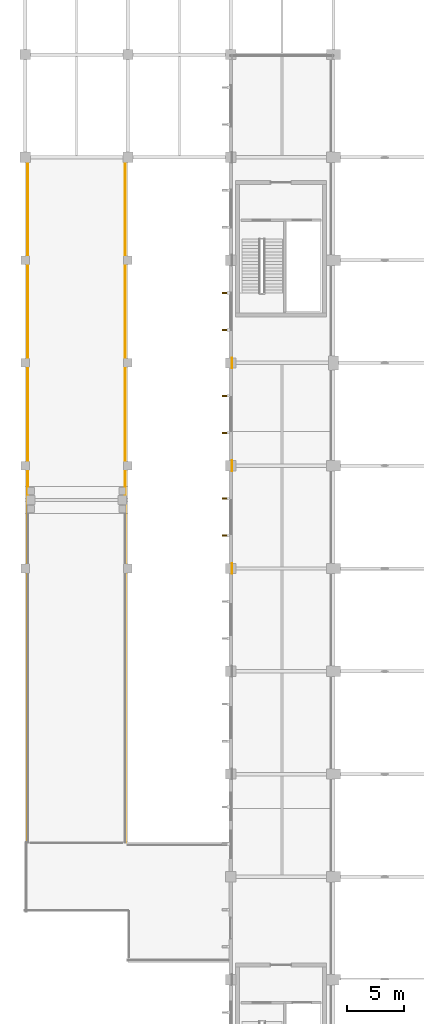
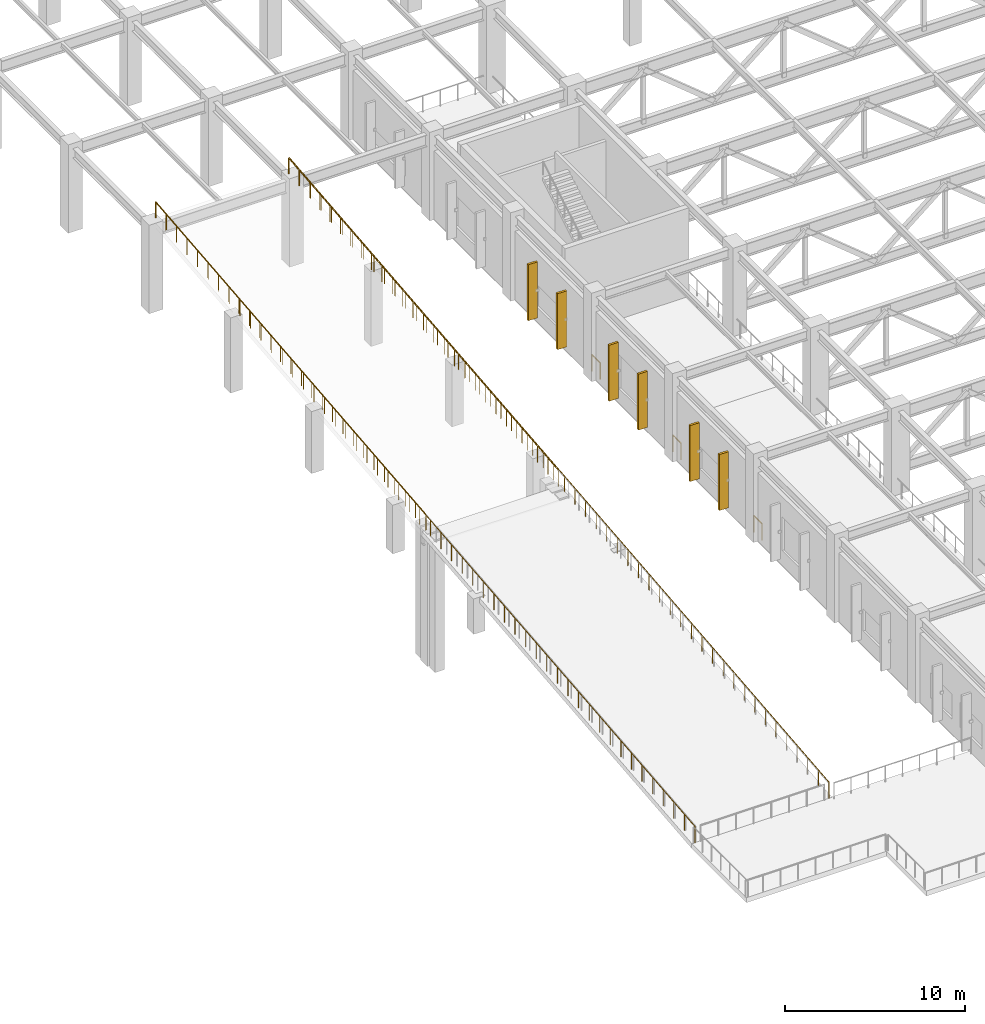
# One storey, part 206 of 223: 7 railings, 6 shading devices.
"""IFC4 building model written with IfcOpenShell, lengths in metres."""

from ifc_helpers import new_model, si_unit, direction, frame, origin, origin_2d, place, context, subcontext, project, spatial, rectangle, circle, extrude, material, layer, layer_set, type_object, element, save


model = new_model("IFC4")

# Units and contexts
model_context = context("Model", 3, precision=1e-05, world=origin(), true_north=direction((0.0, 1.0)))
body_context = subcontext(model_context, "Body", "Model", "MODEL_VIEW")
ifc_project = project(units=[si_unit("LENGTHUNIT", "METRE"), si_unit("AREAUNIT", "SQUARE_METRE"), si_unit("VOLUMEUNIT", "CUBIC_METRE"), si_unit("PLANEANGLEUNIT", "RADIAN"), si_unit("MASSUNIT", "GRAM", prefix="KILO")], contexts=[model_context])

# Site, building, storey
site_placement = place(None, origin())
site = spatial("IfcSite", under=ifc_project, at=site_placement, CompositionType="ELEMENT")
building_placement = place(site_placement, origin())
building = spatial("IfcBuilding", under=site, at=building_placement, Name="Dornveld Trade and Exhibition Forum", CompositionType="ELEMENT")
storey_placement = place(building_placement, frame((0.0, 0.0, 6.0)))
storey = spatial("IfcBuildingStorey", under=building, at=storey_placement, Name="L01", CompositionType="ELEMENT", Elevation=6.0)

# Railings
ifc_material_1 = material(Name="Dark-bronze steel and laminated glass balustrade", Category="steel")
railing_type_1 = type_object("IfcRailingType", Name="RL-BALUST-CONC", PredefinedType="BALUSTRADE", material=ifc_material_1)
for number, where, name in (
    (1, (18.10009765625, 89.550537109375, 0.0), "L01 deck edge balustrade 86"),
    (2, (18.10009765625, 98.550537109375, 0.0), "L01 deck edge balustrade 87"),
    (3, (18.10009765625, 107.550537109375, 0.0), "L01 deck edge balustrade 88"),
):
    element("IfcRailing", number, at=place(storey_placement, frame(where)), inside=storey, type_object=railing_type_1, Name=name, PredefinedType="BALUSTRADE", context=body_context, shape_type="SweptSolid", body=[
        extrude(circle(Radius=0.02490234375, at=origin_2d()), frame((0.0, 0.0, 1.09521484375), z_axis=(0.0, 1.0, 0.0), x_axis=(-1.0, 0.0, 0.0)), (0.0, 0.0, 1.0), 0.89892578125),
        extrude(circle(Radius=0.02099609375, at=origin_2d()), origin(), (0.0, 0.0, 1.0), 1.070068359375),
        extrude(circle(Radius=0.02099609375, at=origin_2d()), frame((0.0, 0.89892578125, 0.0)), (0.0, 0.0, 1.0), 1.070068359375),
    ])
ifc_material_2 = material(Name="Galvanised steel S355J2 balustrade", Category="steel")
railing_type_2 = type_object("IfcRailingType", Name="RL-GUARD-TERR", PredefinedType="GUARDRAIL", material=ifc_material_2)
railing_1_placement = place(storey_placement, frame((0.25, 96.0, 3.0)))
element("IfcRailing", 4, at=railing_1_placement, inside=storey, type_object=railing_type_2, Name="Viaduct ramp W edge guard 4", PredefinedType="GUARDRAIL", context=body_context, shape_type="SweptSolid", body=[
    extrude(circle(Radius=0.02392578125, at=origin_2d()), frame((0.0, 0.0, 1.076171875), z_axis=(0.0, 0.99503719021, 0.099503719021), x_axis=(-1.0, 0.0, 0.0)), (0.0, 0.0, 1.0), 30.149658203125),
    extrude(circle(Radius=0.02099609375, at=origin_2d()), origin(), (0.0, 0.0, 1.0), 1.052001953125),
    extrude(circle(Radius=0.02099609375, at=origin_2d()), frame((0.0, 1.15380859375, 0.115478515625)), (0.0, 0.0, 1.0), 1.052001953125),
    extrude(circle(Radius=0.02099609375, at=origin_2d()), frame((0.0, 2.3076171875, 0.230712890625)), (0.0, 0.0, 1.0), 1.052001953125),
    extrude(circle(Radius=0.02099609375, at=origin_2d()), frame((0.0, 3.46142578125, 0.34619140625)), (0.0, 0.0, 1.0), 1.052001953125),
    extrude(circle(Radius=0.02099609375, at=origin_2d()), frame((0.0, 4.615478515625, 0.46142578125)), (0.0, 0.0, 1.0), 1.052001953125),
    extrude(circle(Radius=0.02099609375, at=origin_2d()), frame((0.0, 5.769287109375, 0.576904296875)), (0.0, 0.0, 1.0), 1.052001953125),
    extrude(circle(Radius=0.02099609375, at=origin_2d()), frame((0.0, 6.923095703125, 0.6923828125)), (0.0, 0.0, 1.0), 1.052001953125),
    extrude(circle(Radius=0.02099609375, at=origin_2d()), frame((0.0, 8.076904296875, 0.8076171875)), (0.0, 0.0, 1.0), 1.052001953125),
    extrude(circle(Radius=0.02099609375, at=origin_2d()), frame((0.0, 9.230712890625, 0.923095703125)), (0.0, 0.0, 1.0), 1.052001953125),
    extrude(circle(Radius=0.02099609375, at=origin_2d()), frame((0.0, 10.384521484375, 1.03857421875)), (0.0, 0.0, 1.0), 1.052001953125),
    extrude(circle(Radius=0.02099609375, at=origin_2d()), frame((0.0, 11.53857421875, 1.15380859375)), (0.0, 0.0, 1.0), 1.052001953125),
    extrude(circle(Radius=0.02099609375, at=origin_2d()), frame((0.0, 12.6923828125, 1.269287109375)), (0.0, 0.0, 1.0), 1.052001953125),
    extrude(circle(Radius=0.02099609375, at=origin_2d()), frame((0.0, 13.84619140625, 1.384521484375)), (0.0, 0.0, 1.0), 1.052001953125),
    extrude(circle(Radius=0.02099609375, at=origin_2d()), frame((0.0, 15.0, 1.5)), (0.0, 0.0, 1.0), 1.052001953125),
    extrude(circle(Radius=0.02099609375, at=origin_2d()), frame((0.0, 16.15380859375, 1.615478515625)), (0.0, 0.0, 1.0), 1.052001953125),
    extrude(circle(Radius=0.02099609375, at=origin_2d()), frame((0.0, 17.3076171875, 1.730712890625)), (0.0, 0.0, 1.0), 1.052001953125),
    extrude(circle(Radius=0.02099609375, at=origin_2d()), frame((0.0, 18.46142578125, 1.84619140625)), (0.0, 0.0, 1.0), 1.052001953125),
    extrude(circle(Radius=0.02099609375, at=origin_2d()), frame((0.0, 19.615478515625, 1.96142578125)), (0.0, 0.0, 1.0), 1.052001953125),
    extrude(circle(Radius=0.02099609375, at=origin_2d()), frame((0.0, 20.769287109375, 2.076904296875)), (0.0, 0.0, 1.0), 1.052001953125),
    extrude(circle(Radius=0.02099609375, at=origin_2d()), frame((0.0, 21.923095703125, 2.1923828125)), (0.0, 0.0, 1.0), 1.052001953125),
    extrude(circle(Radius=0.02099609375, at=origin_2d()), frame((0.0, 23.076904296875, 2.3076171875)), (0.0, 0.0, 1.0), 1.052001953125),
    extrude(circle(Radius=0.02099609375, at=origin_2d()), frame((0.0, 24.230712890625, 2.423095703125)), (0.0, 0.0, 1.0), 1.052001953125),
    extrude(circle(Radius=0.02099609375, at=origin_2d()), frame((0.0, 25.384521484375, 2.53857421875)), (0.0, 0.0, 1.0), 1.052001953125),
    extrude(circle(Radius=0.02099609375, at=origin_2d()), frame((0.0, 26.53857421875, 2.65380859375)), (0.0, 0.0, 1.0), 1.052001953125),
    extrude(circle(Radius=0.02099609375, at=origin_2d()), frame((0.0, 27.6923828125, 2.769287109375)), (0.0, 0.0, 1.0), 1.052001953125),
    extrude(circle(Radius=0.02099609375, at=origin_2d()), frame((0.0, 28.84619140625, 2.884521484375)), (0.0, 0.0, 1.0), 1.052001953125),
    extrude(circle(Radius=0.02099609375, at=origin_2d()), frame((0.0, 30.0, 3.0)), (0.0, 0.0, 1.0), 1.052001953125),
])
railing_2_placement = place(storey_placement, frame((8.75, 96.0, 3.0)))
element("IfcRailing", 5, at=railing_2_placement, inside=storey, type_object=railing_type_2, Name="Viaduct ramp E edge guard 4", PredefinedType="GUARDRAIL", context=body_context, shape_type="SweptSolid", body=[
    extrude(circle(Radius=0.02392578125, at=origin_2d()), frame((0.0, 0.0, 1.076171875), z_axis=(0.0, 0.99503719021, 0.099503719021), x_axis=(-1.0, 0.0, 0.0)), (0.0, 0.0, 1.0), 30.149658203125),
    extrude(circle(Radius=0.02099609375, at=origin_2d()), origin(), (0.0, 0.0, 1.0), 1.052001953125),
    extrude(circle(Radius=0.02099609375, at=origin_2d()), frame((0.0, 1.15380859375, 0.115478515625)), (0.0, 0.0, 1.0), 1.052001953125),
    extrude(circle(Radius=0.02099609375, at=origin_2d()), frame((0.0, 2.3076171875, 0.230712890625)), (0.0, 0.0, 1.0), 1.052001953125),
    extrude(circle(Radius=0.02099609375, at=origin_2d()), frame((0.0, 3.46142578125, 0.34619140625)), (0.0, 0.0, 1.0), 1.052001953125),
    extrude(circle(Radius=0.02099609375, at=origin_2d()), frame((0.0, 4.615478515625, 0.46142578125)), (0.0, 0.0, 1.0), 1.052001953125),
    extrude(circle(Radius=0.02099609375, at=origin_2d()), frame((0.0, 5.769287109375, 0.576904296875)), (0.0, 0.0, 1.0), 1.052001953125),
    extrude(circle(Radius=0.02099609375, at=origin_2d()), frame((0.0, 6.923095703125, 0.6923828125)), (0.0, 0.0, 1.0), 1.052001953125),
    extrude(circle(Radius=0.02099609375, at=origin_2d()), frame((0.0, 8.076904296875, 0.8076171875)), (0.0, 0.0, 1.0), 1.052001953125),
    extrude(circle(Radius=0.02099609375, at=origin_2d()), frame((0.0, 9.230712890625, 0.923095703125)), (0.0, 0.0, 1.0), 1.052001953125),
    extrude(circle(Radius=0.02099609375, at=origin_2d()), frame((0.0, 10.384521484375, 1.03857421875)), (0.0, 0.0, 1.0), 1.052001953125),
    extrude(circle(Radius=0.02099609375, at=origin_2d()), frame((0.0, 11.53857421875, 1.15380859375)), (0.0, 0.0, 1.0), 1.052001953125),
    extrude(circle(Radius=0.02099609375, at=origin_2d()), frame((0.0, 12.6923828125, 1.269287109375)), (0.0, 0.0, 1.0), 1.052001953125),
    extrude(circle(Radius=0.02099609375, at=origin_2d()), frame((0.0, 13.84619140625, 1.384521484375)), (0.0, 0.0, 1.0), 1.052001953125),
    extrude(circle(Radius=0.02099609375, at=origin_2d()), frame((0.0, 15.0, 1.5)), (0.0, 0.0, 1.0), 1.052001953125),
    extrude(circle(Radius=0.02099609375, at=origin_2d()), frame((0.0, 16.15380859375, 1.615478515625)), (0.0, 0.0, 1.0), 1.052001953125),
    extrude(circle(Radius=0.02099609375, at=origin_2d()), frame((0.0, 17.3076171875, 1.730712890625)), (0.0, 0.0, 1.0), 1.052001953125),
    extrude(circle(Radius=0.02099609375, at=origin_2d()), frame((0.0, 18.46142578125, 1.84619140625)), (0.0, 0.0, 1.0), 1.052001953125),
    extrude(circle(Radius=0.02099609375, at=origin_2d()), frame((0.0, 19.615478515625, 1.96142578125)), (0.0, 0.0, 1.0), 1.052001953125),
    extrude(circle(Radius=0.02099609375, at=origin_2d()), frame((0.0, 20.769287109375, 2.076904296875)), (0.0, 0.0, 1.0), 1.052001953125),
    extrude(circle(Radius=0.02099609375, at=origin_2d()), frame((0.0, 21.923095703125, 2.1923828125)), (0.0, 0.0, 1.0), 1.052001953125),
    extrude(circle(Radius=0.02099609375, at=origin_2d()), frame((0.0, 23.076904296875, 2.3076171875)), (0.0, 0.0, 1.0), 1.052001953125),
    extrude(circle(Radius=0.02099609375, at=origin_2d()), frame((0.0, 24.230712890625, 2.423095703125)), (0.0, 0.0, 1.0), 1.052001953125),
    extrude(circle(Radius=0.02099609375, at=origin_2d()), frame((0.0, 25.384521484375, 2.53857421875)), (0.0, 0.0, 1.0), 1.052001953125),
    extrude(circle(Radius=0.02099609375, at=origin_2d()), frame((0.0, 26.53857421875, 2.65380859375)), (0.0, 0.0, 1.0), 1.052001953125),
    extrude(circle(Radius=0.02099609375, at=origin_2d()), frame((0.0, 27.6923828125, 2.769287109375)), (0.0, 0.0, 1.0), 1.052001953125),
    extrude(circle(Radius=0.02099609375, at=origin_2d()), frame((0.0, 28.84619140625, 2.884521484375)), (0.0, 0.0, 1.0), 1.052001953125),
    extrude(circle(Radius=0.02099609375, at=origin_2d()), frame((0.0, 30.0, 3.0)), (0.0, 0.0, 1.0), 1.052001953125),
])
railing_3_placement = place(storey_placement, frame((0.199951171875, 66.0, 0.0)))
element("IfcRailing", 6, at=railing_3_placement, inside=storey, type_object=railing_type_2, Name="L01 protective edge guard 11", PredefinedType="GUARDRAIL", context=body_context, shape_type="SweptSolid", body=[
    extrude(circle(Radius=0.02490234375, at=origin_2d()), frame((0.0, 0.0, 1.09521484375), z_axis=(0.0, 0.99503719021, 0.099503719021), x_axis=(-1.0, 0.0, 0.0)), (0.0, 0.0, 1.0), 60.29931640625),
    extrude(circle(Radius=0.02099609375, at=origin_2d()), origin(), (0.0, 0.0, 1.0), 1.070068359375),
    extrude(circle(Radius=0.02099609375, at=origin_2d()), frame((0.0, 1.176513671875, 0.11767578125)), (0.0, 0.0, 1.0), 1.070068359375),
    extrude(circle(Radius=0.02099609375, at=origin_2d()), frame((0.0, 2.35302734375, 0.2353515625)), (0.0, 0.0, 1.0), 1.070068359375),
    extrude(circle(Radius=0.02099609375, at=origin_2d()), frame((0.0, 3.529296875, 0.35302734375)), (0.0, 0.0, 1.0), 1.070068359375),
    extrude(circle(Radius=0.02099609375, at=origin_2d()), frame((0.0, 4.705810546875, 0.470703125)), (0.0, 0.0, 1.0), 1.070068359375),
    extrude(circle(Radius=0.02099609375, at=origin_2d()), frame((0.0, 5.88232421875, 0.588134765625)), (0.0, 0.0, 1.0), 1.070068359375),
    extrude(circle(Radius=0.02099609375, at=origin_2d()), frame((0.0, 7.058837890625, 0.705810546875)), (0.0, 0.0, 1.0), 1.070068359375),
    extrude(circle(Radius=0.02099609375, at=origin_2d()), frame((0.0, 8.2353515625, 0.823486328125)), (0.0, 0.0, 1.0), 1.070068359375),
    extrude(circle(Radius=0.02099609375, at=origin_2d()), frame((0.0, 9.411865234375, 0.941162109375)), (0.0, 0.0, 1.0), 1.070068359375),
    extrude(circle(Radius=0.02099609375, at=origin_2d()), frame((0.0, 10.588134765625, 1.058837890625)), (0.0, 0.0, 1.0), 1.070068359375),
    extrude(circle(Radius=0.02099609375, at=origin_2d()), frame((0.0, 11.7646484375, 1.176513671875)), (0.0, 0.0, 1.0), 1.070068359375),
    extrude(circle(Radius=0.02099609375, at=origin_2d()), frame((0.0, 12.941162109375, 1.294189453125)), (0.0, 0.0, 1.0), 1.070068359375),
    extrude(circle(Radius=0.02099609375, at=origin_2d()), frame((0.0, 14.11767578125, 1.411865234375)), (0.0, 0.0, 1.0), 1.070068359375),
    extrude(circle(Radius=0.02099609375, at=origin_2d()), frame((0.0, 15.294189453125, 1.529296875)), (0.0, 0.0, 1.0), 1.070068359375),
    extrude(circle(Radius=0.02099609375, at=origin_2d()), frame((0.0, 16.470703125, 1.64697265625)), (0.0, 0.0, 1.0), 1.070068359375),
    extrude(circle(Radius=0.02099609375, at=origin_2d()), frame((0.0, 17.64697265625, 1.7646484375)), (0.0, 0.0, 1.0), 1.070068359375),
    extrude(circle(Radius=0.02099609375, at=origin_2d()), frame((0.0, 18.823486328125, 1.88232421875)), (0.0, 0.0, 1.0), 1.070068359375),
    extrude(circle(Radius=0.02099609375, at=origin_2d()), frame((0.0, 20.0, 2.0)), (0.0, 0.0, 1.0), 1.070068359375),
    extrude(circle(Radius=0.02099609375, at=origin_2d()), frame((0.0, 21.176513671875, 2.11767578125)), (0.0, 0.0, 1.0), 1.070068359375),
    extrude(circle(Radius=0.02099609375, at=origin_2d()), frame((0.0, 22.35302734375, 2.2353515625)), (0.0, 0.0, 1.0), 1.070068359375),
    extrude(circle(Radius=0.02099609375, at=origin_2d()), frame((0.0, 23.529296875, 2.35302734375)), (0.0, 0.0, 1.0), 1.070068359375),
    extrude(circle(Radius=0.02099609375, at=origin_2d()), frame((0.0, 24.705810546875, 2.470703125)), (0.0, 0.0, 1.0), 1.070068359375),
    extrude(circle(Radius=0.02099609375, at=origin_2d()), frame((0.0, 25.88232421875, 2.588134765625)), (0.0, 0.0, 1.0), 1.070068359375),
    extrude(circle(Radius=0.02099609375, at=origin_2d()), frame((0.0, 27.058837890625, 2.705810546875)), (0.0, 0.0, 1.0), 1.070068359375),
    extrude(circle(Radius=0.02099609375, at=origin_2d()), frame((0.0, 28.2353515625, 2.823486328125)), (0.0, 0.0, 1.0), 1.070068359375),
    extrude(circle(Radius=0.02099609375, at=origin_2d()), frame((0.0, 29.411865234375, 2.941162109375)), (0.0, 0.0, 1.0), 1.070068359375),
    extrude(circle(Radius=0.02099609375, at=origin_2d()), frame((0.0, 30.588134765625, 3.058837890625)), (0.0, 0.0, 1.0), 1.070068359375),
    extrude(circle(Radius=0.02099609375, at=origin_2d()), frame((0.0, 31.7646484375, 3.176513671875)), (0.0, 0.0, 1.0), 1.070068359375),
    extrude(circle(Radius=0.02099609375, at=origin_2d()), frame((0.0, 32.941162109375, 3.294189453125)), (0.0, 0.0, 1.0), 1.070068359375),
    extrude(circle(Radius=0.02099609375, at=origin_2d()), frame((0.0, 34.11767578125, 3.411865234375)), (0.0, 0.0, 1.0), 1.070068359375),
    extrude(circle(Radius=0.02099609375, at=origin_2d()), frame((0.0, 35.294189453125, 3.529296875)), (0.0, 0.0, 1.0), 1.070068359375),
    extrude(circle(Radius=0.02099609375, at=origin_2d()), frame((0.0, 36.470703125, 3.64697265625)), (0.0, 0.0, 1.0), 1.070068359375),
    extrude(circle(Radius=0.02099609375, at=origin_2d()), frame((0.0, 37.64697265625, 3.7646484375)), (0.0, 0.0, 1.0), 1.070068359375),
    extrude(circle(Radius=0.02099609375, at=origin_2d()), frame((0.0, 38.823486328125, 3.88232421875)), (0.0, 0.0, 1.0), 1.070068359375),
    extrude(circle(Radius=0.02099609375, at=origin_2d()), frame((0.0, 40.0, 4.0)), (0.0, 0.0, 1.0), 1.070068359375),
    extrude(circle(Radius=0.02099609375, at=origin_2d()), frame((0.0, 41.176513671875, 4.11767578125)), (0.0, 0.0, 1.0), 1.070068359375),
    extrude(circle(Radius=0.02099609375, at=origin_2d()), frame((0.0, 42.35302734375, 4.2353515625)), (0.0, 0.0, 1.0), 1.070068359375),
    extrude(circle(Radius=0.02099609375, at=origin_2d()), frame((0.0, 43.529296875, 4.35302734375)), (0.0, 0.0, 1.0), 1.070068359375),
    extrude(circle(Radius=0.02099609375, at=origin_2d()), frame((0.0, 44.705810546875, 4.470703125)), (0.0, 0.0, 1.0), 1.070068359375),
    extrude(circle(Radius=0.02099609375, at=origin_2d()), frame((0.0, 45.88232421875, 4.588134765625)), (0.0, 0.0, 1.0), 1.070068359375),
    extrude(circle(Radius=0.02099609375, at=origin_2d()), frame((0.0, 47.058837890625, 4.705810546875)), (0.0, 0.0, 1.0), 1.070068359375),
    extrude(circle(Radius=0.02099609375, at=origin_2d()), frame((0.0, 48.2353515625, 4.823486328125)), (0.0, 0.0, 1.0), 1.070068359375),
    extrude(circle(Radius=0.02099609375, at=origin_2d()), frame((0.0, 49.411865234375, 4.941162109375)), (0.0, 0.0, 1.0), 1.070068359375),
    extrude(circle(Radius=0.02099609375, at=origin_2d()), frame((0.0, 50.588134765625, 5.058837890625)), (0.0, 0.0, 1.0), 1.070068359375),
    extrude(circle(Radius=0.02099609375, at=origin_2d()), frame((0.0, 51.7646484375, 5.176513671875)), (0.0, 0.0, 1.0), 1.070068359375),
    extrude(circle(Radius=0.02099609375, at=origin_2d()), frame((0.0, 52.941162109375, 5.294189453125)), (0.0, 0.0, 1.0), 1.070068359375),
    extrude(circle(Radius=0.02099609375, at=origin_2d()), frame((0.0, 54.11767578125, 5.411865234375)), (0.0, 0.0, 1.0), 1.070068359375),
    extrude(circle(Radius=0.02099609375, at=origin_2d()), frame((0.0, 55.294189453125, 5.529296875)), (0.0, 0.0, 1.0), 1.070068359375),
    extrude(circle(Radius=0.02099609375, at=origin_2d()), frame((0.0, 56.470703125, 5.64697265625)), (0.0, 0.0, 1.0), 1.070068359375),
    extrude(circle(Radius=0.02099609375, at=origin_2d()), frame((0.0, 57.64697265625, 5.7646484375)), (0.0, 0.0, 1.0), 1.070068359375),
    extrude(circle(Radius=0.02099609375, at=origin_2d()), frame((0.0, 58.823486328125, 5.88232421875)), (0.0, 0.0, 1.0), 1.070068359375),
    extrude(circle(Radius=0.02099609375, at=origin_2d()), frame((0.0, 60.0, 6.0)), (0.0, 0.0, 1.0), 1.070068359375),
])
railing_4_placement = place(storey_placement, frame((8.800048828125, 66.0, 0.0)))
element("IfcRailing", 7, at=railing_4_placement, inside=storey, type_object=railing_type_2, Name="L01 protective edge guard 12", PredefinedType="GUARDRAIL", context=body_context, shape_type="SweptSolid", body=[
    extrude(circle(Radius=0.02490234375, at=origin_2d()), frame((0.0, 0.0, 1.09521484375), z_axis=(0.0, 0.99503719021, 0.099503719021), x_axis=(-1.0, 0.0, 0.0)), (0.0, 0.0, 1.0), 60.29931640625),
    extrude(circle(Radius=0.02099609375, at=origin_2d()), origin(), (0.0, 0.0, 1.0), 1.070068359375),
    extrude(circle(Radius=0.02099609375, at=origin_2d()), frame((0.0, 1.176513671875, 0.11767578125)), (0.0, 0.0, 1.0), 1.070068359375),
    extrude(circle(Radius=0.02099609375, at=origin_2d()), frame((0.0, 2.35302734375, 0.2353515625)), (0.0, 0.0, 1.0), 1.070068359375),
    extrude(circle(Radius=0.02099609375, at=origin_2d()), frame((0.0, 3.529296875, 0.35302734375)), (0.0, 0.0, 1.0), 1.070068359375),
    extrude(circle(Radius=0.02099609375, at=origin_2d()), frame((0.0, 4.705810546875, 0.470703125)), (0.0, 0.0, 1.0), 1.070068359375),
    extrude(circle(Radius=0.02099609375, at=origin_2d()), frame((0.0, 5.88232421875, 0.588134765625)), (0.0, 0.0, 1.0), 1.070068359375),
    extrude(circle(Radius=0.02099609375, at=origin_2d()), frame((0.0, 7.058837890625, 0.705810546875)), (0.0, 0.0, 1.0), 1.070068359375),
    extrude(circle(Radius=0.02099609375, at=origin_2d()), frame((0.0, 8.2353515625, 0.823486328125)), (0.0, 0.0, 1.0), 1.070068359375),
    extrude(circle(Radius=0.02099609375, at=origin_2d()), frame((0.0, 9.411865234375, 0.941162109375)), (0.0, 0.0, 1.0), 1.070068359375),
    extrude(circle(Radius=0.02099609375, at=origin_2d()), frame((0.0, 10.588134765625, 1.058837890625)), (0.0, 0.0, 1.0), 1.070068359375),
    extrude(circle(Radius=0.02099609375, at=origin_2d()), frame((0.0, 11.7646484375, 1.176513671875)), (0.0, 0.0, 1.0), 1.070068359375),
    extrude(circle(Radius=0.02099609375, at=origin_2d()), frame((0.0, 12.941162109375, 1.294189453125)), (0.0, 0.0, 1.0), 1.070068359375),
    extrude(circle(Radius=0.02099609375, at=origin_2d()), frame((0.0, 14.11767578125, 1.411865234375)), (0.0, 0.0, 1.0), 1.070068359375),
    extrude(circle(Radius=0.02099609375, at=origin_2d()), frame((0.0, 15.294189453125, 1.529296875)), (0.0, 0.0, 1.0), 1.070068359375),
    extrude(circle(Radius=0.02099609375, at=origin_2d()), frame((0.0, 16.470703125, 1.64697265625)), (0.0, 0.0, 1.0), 1.070068359375),
    extrude(circle(Radius=0.02099609375, at=origin_2d()), frame((0.0, 17.64697265625, 1.7646484375)), (0.0, 0.0, 1.0), 1.070068359375),
    extrude(circle(Radius=0.02099609375, at=origin_2d()), frame((0.0, 18.823486328125, 1.88232421875)), (0.0, 0.0, 1.0), 1.070068359375),
    extrude(circle(Radius=0.02099609375, at=origin_2d()), frame((0.0, 20.0, 2.0)), (0.0, 0.0, 1.0), 1.070068359375),
    extrude(circle(Radius=0.02099609375, at=origin_2d()), frame((0.0, 21.176513671875, 2.11767578125)), (0.0, 0.0, 1.0), 1.070068359375),
    extrude(circle(Radius=0.02099609375, at=origin_2d()), frame((0.0, 22.35302734375, 2.2353515625)), (0.0, 0.0, 1.0), 1.070068359375),
    extrude(circle(Radius=0.02099609375, at=origin_2d()), frame((0.0, 23.529296875, 2.35302734375)), (0.0, 0.0, 1.0), 1.070068359375),
    extrude(circle(Radius=0.02099609375, at=origin_2d()), frame((0.0, 24.705810546875, 2.470703125)), (0.0, 0.0, 1.0), 1.070068359375),
    extrude(circle(Radius=0.02099609375, at=origin_2d()), frame((0.0, 25.88232421875, 2.588134765625)), (0.0, 0.0, 1.0), 1.070068359375),
    extrude(circle(Radius=0.02099609375, at=origin_2d()), frame((0.0, 27.058837890625, 2.705810546875)), (0.0, 0.0, 1.0), 1.070068359375),
    extrude(circle(Radius=0.02099609375, at=origin_2d()), frame((0.0, 28.2353515625, 2.823486328125)), (0.0, 0.0, 1.0), 1.070068359375),
    extrude(circle(Radius=0.02099609375, at=origin_2d()), frame((0.0, 29.411865234375, 2.941162109375)), (0.0, 0.0, 1.0), 1.070068359375),
    extrude(circle(Radius=0.02099609375, at=origin_2d()), frame((0.0, 30.588134765625, 3.058837890625)), (0.0, 0.0, 1.0), 1.070068359375),
    extrude(circle(Radius=0.02099609375, at=origin_2d()), frame((0.0, 31.7646484375, 3.176513671875)), (0.0, 0.0, 1.0), 1.070068359375),
    extrude(circle(Radius=0.02099609375, at=origin_2d()), frame((0.0, 32.941162109375, 3.294189453125)), (0.0, 0.0, 1.0), 1.070068359375),
    extrude(circle(Radius=0.02099609375, at=origin_2d()), frame((0.0, 34.11767578125, 3.411865234375)), (0.0, 0.0, 1.0), 1.070068359375),
    extrude(circle(Radius=0.02099609375, at=origin_2d()), frame((0.0, 35.294189453125, 3.529296875)), (0.0, 0.0, 1.0), 1.070068359375),
    extrude(circle(Radius=0.02099609375, at=origin_2d()), frame((0.0, 36.470703125, 3.64697265625)), (0.0, 0.0, 1.0), 1.070068359375),
    extrude(circle(Radius=0.02099609375, at=origin_2d()), frame((0.0, 37.64697265625, 3.7646484375)), (0.0, 0.0, 1.0), 1.070068359375),
    extrude(circle(Radius=0.02099609375, at=origin_2d()), frame((0.0, 38.823486328125, 3.88232421875)), (0.0, 0.0, 1.0), 1.070068359375),
    extrude(circle(Radius=0.02099609375, at=origin_2d()), frame((0.0, 40.0, 4.0)), (0.0, 0.0, 1.0), 1.070068359375),
    extrude(circle(Radius=0.02099609375, at=origin_2d()), frame((0.0, 41.176513671875, 4.11767578125)), (0.0, 0.0, 1.0), 1.070068359375),
    extrude(circle(Radius=0.02099609375, at=origin_2d()), frame((0.0, 42.35302734375, 4.2353515625)), (0.0, 0.0, 1.0), 1.070068359375),
    extrude(circle(Radius=0.02099609375, at=origin_2d()), frame((0.0, 43.529296875, 4.35302734375)), (0.0, 0.0, 1.0), 1.070068359375),
    extrude(circle(Radius=0.02099609375, at=origin_2d()), frame((0.0, 44.705810546875, 4.470703125)), (0.0, 0.0, 1.0), 1.070068359375),
    extrude(circle(Radius=0.02099609375, at=origin_2d()), frame((0.0, 45.88232421875, 4.588134765625)), (0.0, 0.0, 1.0), 1.070068359375),
    extrude(circle(Radius=0.02099609375, at=origin_2d()), frame((0.0, 47.058837890625, 4.705810546875)), (0.0, 0.0, 1.0), 1.070068359375),
    extrude(circle(Radius=0.02099609375, at=origin_2d()), frame((0.0, 48.2353515625, 4.823486328125)), (0.0, 0.0, 1.0), 1.070068359375),
    extrude(circle(Radius=0.02099609375, at=origin_2d()), frame((0.0, 49.411865234375, 4.941162109375)), (0.0, 0.0, 1.0), 1.070068359375),
    extrude(circle(Radius=0.02099609375, at=origin_2d()), frame((0.0, 50.588134765625, 5.058837890625)), (0.0, 0.0, 1.0), 1.070068359375),
    extrude(circle(Radius=0.02099609375, at=origin_2d()), frame((0.0, 51.7646484375, 5.176513671875)), (0.0, 0.0, 1.0), 1.070068359375),
    extrude(circle(Radius=0.02099609375, at=origin_2d()), frame((0.0, 52.941162109375, 5.294189453125)), (0.0, 0.0, 1.0), 1.070068359375),
    extrude(circle(Radius=0.02099609375, at=origin_2d()), frame((0.0, 54.11767578125, 5.411865234375)), (0.0, 0.0, 1.0), 1.070068359375),
    extrude(circle(Radius=0.02099609375, at=origin_2d()), frame((0.0, 55.294189453125, 5.529296875)), (0.0, 0.0, 1.0), 1.070068359375),
    extrude(circle(Radius=0.02099609375, at=origin_2d()), frame((0.0, 56.470703125, 5.64697265625)), (0.0, 0.0, 1.0), 1.070068359375),
    extrude(circle(Radius=0.02099609375, at=origin_2d()), frame((0.0, 57.64697265625, 5.7646484375)), (0.0, 0.0, 1.0), 1.070068359375),
    extrude(circle(Radius=0.02099609375, at=origin_2d()), frame((0.0, 58.823486328125, 5.88232421875)), (0.0, 0.0, 1.0), 1.070068359375),
    extrude(circle(Radius=0.02099609375, at=origin_2d()), frame((0.0, 60.0, 6.0)), (0.0, 0.0, 1.0), 1.070068359375),
])

# Shading devices
ifc_material_3 = material(Name="Precast concrete C50/60", Category="concrete")
ifc_layer = layer(ifc_material_3, 0.139892578125)
ifc_layer_set = layer_set([ifc_layer], Name="Precast concrete C50/60")
shading_device_type = type_object("IfcShadingDeviceType", Name="SHD-FIN-600", PredefinedType="JALOUSIE", material=ifc_layer_set)
for number, where, z_axis, x_axis, name in (
    (8, (17.5400390625, 96.1201171875, 0.2998046875), (0.0, 0.0, 1.0), (0.0, -1.0, 0.0), "L01 vertical solar brise-soleil fin 69"),
    (9, (17.5400390625, 92.8798828125, 0.2998046875), (0.0, 0.0, 1.0), (0.0, -1.0, 0.0), "L01 vertical solar brise-soleil fin 70"),
    (10, (17.5400390625, 105.1201171875, 0.2998046875), (0.0, 0.0, 1.0), (0.0, -1.0, 0.0), "L01 vertical solar brise-soleil fin 77"),
    (11, (17.5400390625, 101.8798828125, 0.2998046875), (0.0, 0.0, 1.0), (0.0, -1.0, 0.0), "L01 vertical solar brise-soleil fin 78"),
    (12, (17.5400390625, 114.1201171875, 0.2998046875), (0.0, 0.0, 1.0), (0.0, -1.0, 0.0), "L01 vertical solar brise-soleil fin 83"),
    (13, (17.5400390625, 110.8798828125, 0.2998046875), (0.0, 0.0, 1.0), (0.0, -1.0, 0.0), "L01 vertical solar brise-soleil fin 84"),
):
    element("IfcShadingDevice", number, at=place(storey_placement, frame(where, z_axis=z_axis, x_axis=x_axis)), inside=storey, type_object=shading_device_type, Name=name, PredefinedType="JALOUSIE", context=body_context, shape_type="SweptSolid", body=[
        extrude(rectangle(XDim=0.139892578125, YDim=0.60009765625, at=origin_2d()), origin(), (0.0, 0.0, 1.0), 3.800048828125),
    ])

save(model, "model.ifc")
